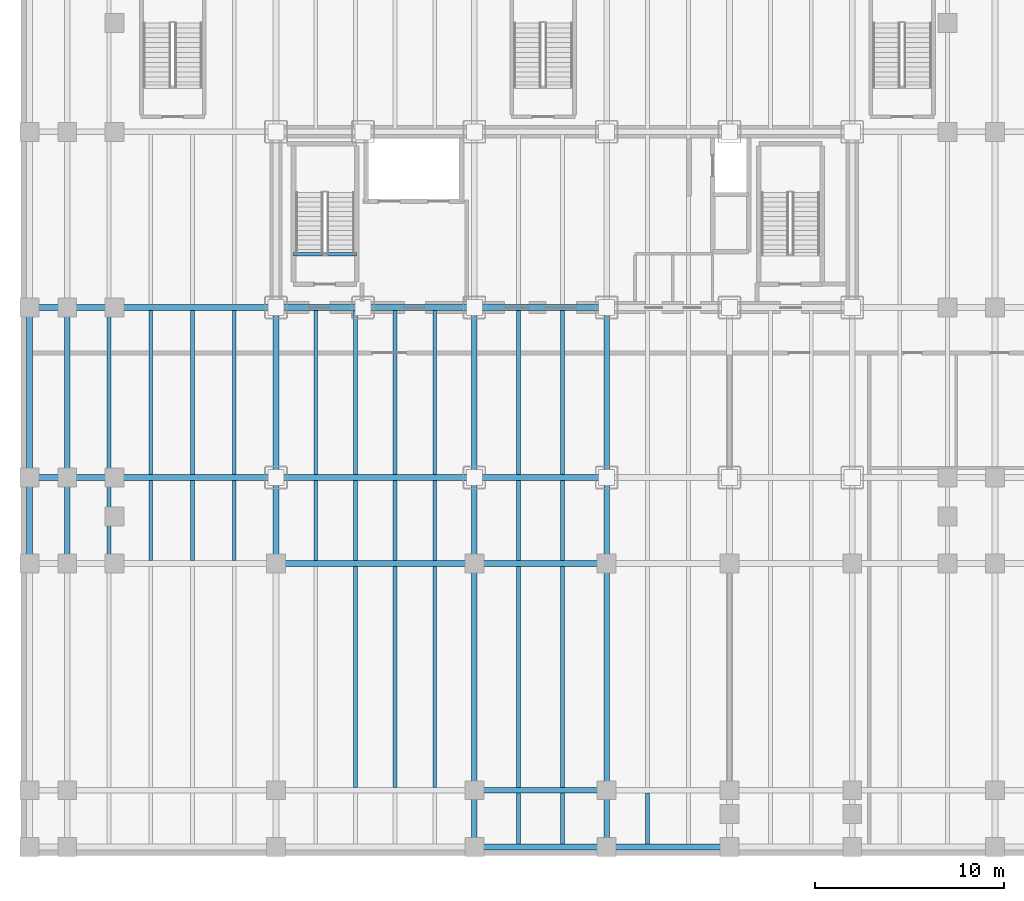
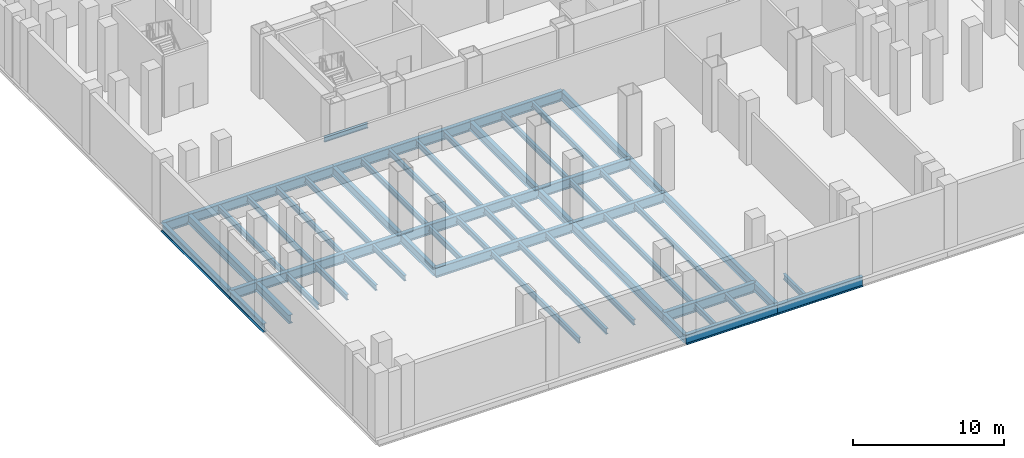
# One storey, part 2 of 15: 56 beams.
"""IFC4 building model written with IfcOpenShell, lengths in metres."""

from ifc_helpers import new_model, si_unit, direction, frame, origin, origin_2d, place, context, subcontext, project, spatial, i_section, extrude, material, material_profile, profile_set, type_object, element, save


model = new_model("IFC4")

# Units and contexts
model_context = context("Model", 3, precision=1e-05, world=origin(), true_north=direction((0.0, 1.0)))
body_context = subcontext(model_context, "Body", "Model", "MODEL_VIEW")
ifc_project = project(units=[si_unit("LENGTHUNIT", "METRE"), si_unit("AREAUNIT", "SQUARE_METRE"), si_unit("VOLUMEUNIT", "CUBIC_METRE"), si_unit("PLANEANGLEUNIT", "RADIAN"), si_unit("MASSUNIT", "GRAM", prefix="KILO")], contexts=[model_context])

# Site, building, storey
site_placement = place(None, origin())
site = spatial("IfcSite", under=ifc_project, at=site_placement, CompositionType="ELEMENT")
building_placement = place(site_placement, origin())
building = spatial("IfcBuilding", under=site, at=building_placement, Name="Noeulbin Bourse Tower", CompositionType="ELEMENT")
storey_placement = place(building_placement, frame((0.0, 0.0, -10.199951171875)))
storey = spatial("IfcBuildingStorey", under=building, at=storey_placement, Name="B02", CompositionType="ELEMENT", Elevation=-10.199951171875)

# Beams
ifc_material = material(Name="Steel S355", Category="steel")
ifc_material_profile_1 = material_profile(ifc_material, i_section(OverallWidth=0.300048828125, OverallDepth=0.699951171875, WebThickness=0.012939453125, FlangeThickness=0.02392578125, FilletRadius=0.02392578125, at=origin_2d()), Name="H-700x300x13x24", Category="LoadBearing")
ifc_profile_set_1 = profile_set([ifc_material_profile_1], Name="Steel S355")
beam_type_1 = type_object("IfcBeamType", Name="BM-GRD-700", PredefinedType="USERDEFINED", material=ifc_profile_set_1)
beam_1_placement = place(storey_placement, frame((0.449951171875, 15.449951171875, -0.630126953125), z_axis=(0.0, 1.0, 0.0), x_axis=(-1.0, 0.0, 0.0)))
element("IfcBeam", 1, at=beam_1_placement, inside=storey, type_object=beam_type_1, Name="Podium Primary Girder NS B02-075", ObjectType="GIRDER", PredefinedType="USERDEFINED", context=body_context, shape_type="SweptSolid", body=[
    extrude(i_section(OverallWidth=0.300048828125, OverallDepth=0.699951171875, WebThickness=0.012939453125, FlangeThickness=0.02392578125, FilletRadius=0.02392578125, at=origin_2d()), origin(), (0.0, 0.0, 1.0), 4.550048828125),
])
beam_2_placement = place(storey_placement, frame((0.449951171875, 20.0, -0.630126953125), z_axis=(0.0, 1.0, 0.0), x_axis=(-1.0, 0.0, 0.0)))
element("IfcBeam", 2, at=beam_2_placement, inside=storey, type_object=beam_type_1, Name="Podium Primary Girder NS B02-076", ObjectType="GIRDER", PredefinedType="USERDEFINED", context=body_context, shape_type="SweptSolid", body=[
    extrude(i_section(OverallWidth=0.300048828125, OverallDepth=0.699951171875, WebThickness=0.012939453125, FlangeThickness=0.02392578125, FilletRadius=0.02392578125, at=origin_2d()), origin(), (0.0, 0.0, 1.0), 9.0),
])
beam_3_placement = place(storey_placement, frame((2.449951171875, 15.449951171875, -0.630126953125), z_axis=(0.0, 1.0, 0.0), x_axis=(-1.0, 0.0, 0.0)))
element("IfcBeam", 3, at=beam_3_placement, inside=storey, type_object=beam_type_1, Name="Podium Primary Girder NS B02-083", ObjectType="GIRDER", PredefinedType="USERDEFINED", context=body_context, shape_type="SweptSolid", body=[
    extrude(i_section(OverallWidth=0.300048828125, OverallDepth=0.699951171875, WebThickness=0.012939453125, FlangeThickness=0.02392578125, FilletRadius=0.02392578125, at=origin_2d()), origin(), (0.0, 0.0, 1.0), 4.550048828125),
])
beam_4_placement = place(storey_placement, frame((2.449951171875, 20.0, -0.630126953125), z_axis=(0.0, 1.0, 0.0), x_axis=(-1.0, 0.0, 0.0)))
element("IfcBeam", 4, at=beam_4_placement, inside=storey, type_object=beam_type_1, Name="Podium Primary Girder NS B02-084", ObjectType="GIRDER", PredefinedType="USERDEFINED", context=body_context, shape_type="SweptSolid", body=[
    extrude(i_section(OverallWidth=0.300048828125, OverallDepth=0.699951171875, WebThickness=0.012939453125, FlangeThickness=0.02392578125, FilletRadius=0.02392578125, at=origin_2d()), origin(), (0.0, 0.0, 1.0), 9.0),
])
beam_5_placement = place(storey_placement, frame((13.5, 15.449951171875, -0.630126953125), z_axis=(0.0, 1.0, 0.0), x_axis=(-1.0, 0.0, 0.0)))
element("IfcBeam", 5, at=beam_5_placement, inside=storey, type_object=beam_type_1, Name="Podium Primary Girder NS B02-091", ObjectType="GIRDER", PredefinedType="USERDEFINED", context=body_context, shape_type="SweptSolid", body=[
    extrude(i_section(OverallWidth=0.300048828125, OverallDepth=0.699951171875, WebThickness=0.012939453125, FlangeThickness=0.02392578125, FilletRadius=0.02392578125, at=origin_2d()), origin(), (0.0, 0.0, 1.0), 4.550048828125),
])
beam_6_placement = place(storey_placement, frame((13.5, 20.0, -0.630126953125), z_axis=(0.0, 1.0, 0.0), x_axis=(-1.0, 0.0, 0.0)))
element("IfcBeam", 6, at=beam_6_placement, inside=storey, type_object=beam_type_1, Name="Podium Primary Girder NS B02-092", ObjectType="GIRDER", PredefinedType="USERDEFINED", context=body_context, shape_type="SweptSolid", body=[
    extrude(i_section(OverallWidth=0.300048828125, OverallDepth=0.699951171875, WebThickness=0.012939453125, FlangeThickness=0.02392578125, FilletRadius=0.02392578125, at=origin_2d()), origin(), (0.0, 0.0, 1.0), 9.0),
])
beam_7_placement = place(storey_placement, frame((24.0, 0.449951171875, -0.630126953125), z_axis=(0.0, 1.0, 0.0), x_axis=(-1.0, 0.0, 0.0)))
element("IfcBeam", 7, at=beam_7_placement, inside=storey, type_object=beam_type_1, Name="Podium Primary Girder NS B02-097", ObjectType="GIRDER", PredefinedType="USERDEFINED", context=body_context, shape_type="SweptSolid", body=[
    extrude(i_section(OverallWidth=0.300048828125, OverallDepth=0.699951171875, WebThickness=0.012939453125, FlangeThickness=0.02392578125, FilletRadius=0.02392578125, at=origin_2d()), origin(), (0.0, 0.0, 1.0), 3.0),
])
beam_8_placement = place(storey_placement, frame((24.0, 3.449951171875, -0.630126953125), z_axis=(0.0, 1.0, 0.0), x_axis=(-1.0, 0.0, 0.0)))
element("IfcBeam", 8, at=beam_8_placement, inside=storey, type_object=beam_type_1, Name="Podium Primary Girder NS B02-098", ObjectType="GIRDER", PredefinedType="USERDEFINED", context=body_context, shape_type="SweptSolid", body=[
    extrude(i_section(OverallWidth=0.300048828125, OverallDepth=0.699951171875, WebThickness=0.012939453125, FlangeThickness=0.02392578125, FilletRadius=0.02392578125, at=origin_2d()), origin(), (0.0, 0.0, 1.0), 12.0),
])
beam_9_placement = place(storey_placement, frame((24.0, 15.449951171875, -0.630126953125), z_axis=(0.0, 1.0, 0.0), x_axis=(-1.0, 0.0, 0.0)))
element("IfcBeam", 9, at=beam_9_placement, inside=storey, type_object=beam_type_1, Name="Podium Primary Girder NS B02-099", ObjectType="GIRDER", PredefinedType="USERDEFINED", context=body_context, shape_type="SweptSolid", body=[
    extrude(i_section(OverallWidth=0.300048828125, OverallDepth=0.699951171875, WebThickness=0.012939453125, FlangeThickness=0.02392578125, FilletRadius=0.02392578125, at=origin_2d()), origin(), (0.0, 0.0, 1.0), 4.550048828125),
])
beam_10_placement = place(storey_placement, frame((24.0, 20.0, -0.630126953125), z_axis=(0.0, 1.0, 0.0), x_axis=(-1.0, 0.0, 0.0)))
element("IfcBeam", 10, at=beam_10_placement, inside=storey, type_object=beam_type_1, Name="Podium Primary Girder NS B02-100", ObjectType="GIRDER", PredefinedType="USERDEFINED", context=body_context, shape_type="SweptSolid", body=[
    extrude(i_section(OverallWidth=0.300048828125, OverallDepth=0.699951171875, WebThickness=0.012939453125, FlangeThickness=0.02392578125, FilletRadius=0.02392578125, at=origin_2d()), origin(), (0.0, 0.0, 1.0), 9.0),
])
beam_11_placement = place(storey_placement, frame((31.0, 0.449951171875, -0.630126953125), z_axis=(0.0, 1.0, 0.0), x_axis=(-1.0, 0.0, 0.0)))
element("IfcBeam", 11, at=beam_11_placement, inside=storey, type_object=beam_type_1, Name="Podium Primary Girder NS B02-105", ObjectType="GIRDER", PredefinedType="USERDEFINED", context=body_context, shape_type="SweptSolid", body=[
    extrude(i_section(OverallWidth=0.300048828125, OverallDepth=0.699951171875, WebThickness=0.012939453125, FlangeThickness=0.02392578125, FilletRadius=0.02392578125, at=origin_2d()), origin(), (0.0, 0.0, 1.0), 3.0),
])
beam_12_placement = place(storey_placement, frame((31.0, 3.449951171875, -0.630126953125), z_axis=(0.0, 1.0, 0.0), x_axis=(-1.0, 0.0, 0.0)))
element("IfcBeam", 12, at=beam_12_placement, inside=storey, type_object=beam_type_1, Name="Podium Primary Girder NS B02-106", ObjectType="GIRDER", PredefinedType="USERDEFINED", context=body_context, shape_type="SweptSolid", body=[
    extrude(i_section(OverallWidth=0.300048828125, OverallDepth=0.699951171875, WebThickness=0.012939453125, FlangeThickness=0.02392578125, FilletRadius=0.02392578125, at=origin_2d()), origin(), (0.0, 0.0, 1.0), 12.0),
])
beam_13_placement = place(storey_placement, frame((31.0, 15.449951171875, -0.630126953125), z_axis=(0.0, 1.0, 0.0), x_axis=(-1.0, 0.0, 0.0)))
element("IfcBeam", 13, at=beam_13_placement, inside=storey, type_object=beam_type_1, Name="Podium Primary Girder NS B02-107", ObjectType="GIRDER", PredefinedType="USERDEFINED", context=body_context, shape_type="SweptSolid", body=[
    extrude(i_section(OverallWidth=0.300048828125, OverallDepth=0.699951171875, WebThickness=0.012939453125, FlangeThickness=0.02392578125, FilletRadius=0.02392578125, at=origin_2d()), origin(), (0.0, 0.0, 1.0), 4.550048828125),
])
beam_14_placement = place(storey_placement, frame((31.0, 20.0, -0.630126953125), z_axis=(0.0, 1.0, 0.0), x_axis=(-1.0, 0.0, 0.0)))
element("IfcBeam", 14, at=beam_14_placement, inside=storey, type_object=beam_type_1, Name="Podium Primary Girder NS B02-108", ObjectType="GIRDER", PredefinedType="USERDEFINED", context=body_context, shape_type="SweptSolid", body=[
    extrude(i_section(OverallWidth=0.300048828125, OverallDepth=0.699951171875, WebThickness=0.012939453125, FlangeThickness=0.02392578125, FilletRadius=0.02392578125, at=origin_2d()), origin(), (0.0, 0.0, 1.0), 9.0),
])
ifc_material_profile_2 = material_profile(ifc_material, i_section(OverallWidth=0.300048828125, OverallDepth=0.800048828125, WebThickness=0.013916015625, FlangeThickness=0.02587890625, FilletRadius=0.02587890625, at=origin_2d()), Name="H-800x300x14x26", Category="LoadBearing")
ifc_profile_set_2 = profile_set([ifc_material_profile_2], Name="Steel S355")
beam_type_2 = type_object("IfcBeamType", Name="BM-GRD-800", PredefinedType="USERDEFINED", material=ifc_profile_set_2)
beam_15_placement = place(storey_placement, frame((24.0, 0.449951171875, -0.679931640625), z_axis=(1.0, 0.0, 0.0), x_axis=(0.0, 1.0, 0.0)))
element("IfcBeam", 15, at=beam_15_placement, inside=storey, type_object=beam_type_2, Name="Podium Primary Girder EW B02-004", ObjectType="GIRDER", PredefinedType="USERDEFINED", context=body_context, shape_type="SweptSolid", body=[
    extrude(i_section(OverallWidth=0.300048828125, OverallDepth=0.800048828125, WebThickness=0.013916015625, FlangeThickness=0.02587890625, FilletRadius=0.02587890625, at=origin_2d()), origin(), (0.0, 0.0, 1.0), 7.0),
])
beam_16_placement = place(storey_placement, frame((31.0, 0.449951171875, -0.679931640625), z_axis=(1.0, 0.0, 0.0), x_axis=(0.0, 1.0, 0.0)))
element("IfcBeam", 16, at=beam_16_placement, inside=storey, type_object=beam_type_2, Name="Podium Primary Girder EW B02-005", ObjectType="GIRDER", PredefinedType="USERDEFINED", context=body_context, shape_type="SweptSolid", body=[
    extrude(i_section(OverallWidth=0.300048828125, OverallDepth=0.800048828125, WebThickness=0.013916015625, FlangeThickness=0.02587890625, FilletRadius=0.02587890625, at=origin_2d()), origin(), (0.0, 0.0, 1.0), 6.5),
])
beam_17_placement = place(storey_placement, frame((24.0, 3.449951171875, -0.679931640625), z_axis=(1.0, 0.0, 0.0), x_axis=(0.0, 1.0, 0.0)))
element("IfcBeam", 17, at=beam_17_placement, inside=storey, type_object=beam_type_2, Name="Podium Primary Girder EW B02-012", ObjectType="GIRDER", PredefinedType="USERDEFINED", context=body_context, shape_type="SweptSolid", body=[
    extrude(i_section(OverallWidth=0.300048828125, OverallDepth=0.800048828125, WebThickness=0.013916015625, FlangeThickness=0.02587890625, FilletRadius=0.02587890625, at=origin_2d()), origin(), (0.0, 0.0, 1.0), 7.0),
])
beam_18_placement = place(storey_placement, frame((13.5, 15.449951171875, -0.679931640625), z_axis=(1.0, 0.0, 0.0), x_axis=(0.0, 1.0, 0.0)))
element("IfcBeam", 18, at=beam_18_placement, inside=storey, type_object=beam_type_2, Name="Podium Primary Girder EW B02-019", ObjectType="GIRDER", PredefinedType="USERDEFINED", context=body_context, shape_type="SweptSolid", body=[
    extrude(i_section(OverallWidth=0.300048828125, OverallDepth=0.800048828125, WebThickness=0.013916015625, FlangeThickness=0.02587890625, FilletRadius=0.02587890625, at=origin_2d()), origin(), (0.0, 0.0, 1.0), 10.5),
])
beam_19_placement = place(storey_placement, frame((24.0, 15.449951171875, -0.679931640625), z_axis=(1.0, 0.0, 0.0), x_axis=(0.0, 1.0, 0.0)))
element("IfcBeam", 19, at=beam_19_placement, inside=storey, type_object=beam_type_2, Name="Podium Primary Girder EW B02-020", ObjectType="GIRDER", PredefinedType="USERDEFINED", context=body_context, shape_type="SweptSolid", body=[
    extrude(i_section(OverallWidth=0.300048828125, OverallDepth=0.800048828125, WebThickness=0.013916015625, FlangeThickness=0.02587890625, FilletRadius=0.02587890625, at=origin_2d()), origin(), (0.0, 0.0, 1.0), 7.0),
])
beam_20_placement = place(storey_placement, frame((0.449951171875, 20.0, -0.679931640625), z_axis=(1.0, 0.0, 0.0), x_axis=(0.0, 1.0, 0.0)))
element("IfcBeam", 20, at=beam_20_placement, inside=storey, type_object=beam_type_2, Name="Podium Primary Girder EW B02-025", ObjectType="GIRDER", PredefinedType="USERDEFINED", context=body_context, shape_type="SweptSolid", body=[
    extrude(i_section(OverallWidth=0.300048828125, OverallDepth=0.800048828125, WebThickness=0.013916015625, FlangeThickness=0.02587890625, FilletRadius=0.02587890625, at=origin_2d()), origin(), (0.0, 0.0, 1.0), 2.0),
])
beam_21_placement = place(storey_placement, frame((2.449951171875, 20.0, -0.679931640625), z_axis=(1.0, 0.0, 0.0), x_axis=(0.0, 1.0, 0.0)))
element("IfcBeam", 21, at=beam_21_placement, inside=storey, type_object=beam_type_2, Name="Podium Primary Girder EW B02-026", ObjectType="GIRDER", PredefinedType="USERDEFINED", context=body_context, shape_type="SweptSolid", body=[
    extrude(i_section(OverallWidth=0.300048828125, OverallDepth=0.800048828125, WebThickness=0.013916015625, FlangeThickness=0.02587890625, FilletRadius=0.02587890625, at=origin_2d()), origin(), (0.0, 0.0, 1.0), 11.050048828125),
])
beam_22_placement = place(storey_placement, frame((13.5, 20.0, -0.679931640625), z_axis=(1.0, 0.0, 0.0), x_axis=(0.0, 1.0, 0.0)))
element("IfcBeam", 22, at=beam_22_placement, inside=storey, type_object=beam_type_2, Name="Podium Primary Girder EW B02-027", ObjectType="GIRDER", PredefinedType="USERDEFINED", context=body_context, shape_type="SweptSolid", body=[
    extrude(i_section(OverallWidth=0.300048828125, OverallDepth=0.800048828125, WebThickness=0.013916015625, FlangeThickness=0.02587890625, FilletRadius=0.02587890625, at=origin_2d()), origin(), (0.0, 0.0, 1.0), 10.5),
])
beam_23_placement = place(storey_placement, frame((24.0, 20.0, -0.679931640625), z_axis=(1.0, 0.0, 0.0), x_axis=(0.0, 1.0, 0.0)))
element("IfcBeam", 23, at=beam_23_placement, inside=storey, type_object=beam_type_2, Name="Podium Primary Girder EW B02-028", ObjectType="GIRDER", PredefinedType="USERDEFINED", context=body_context, shape_type="SweptSolid", body=[
    extrude(i_section(OverallWidth=0.300048828125, OverallDepth=0.800048828125, WebThickness=0.013916015625, FlangeThickness=0.02587890625, FilletRadius=0.02587890625, at=origin_2d()), origin(), (0.0, 0.0, 1.0), 7.0),
])
beam_24_placement = place(storey_placement, frame((0.449951171875, 29.0, -0.679931640625), z_axis=(1.0, 0.0, 0.0), x_axis=(0.0, 1.0, 0.0)))
element("IfcBeam", 24, at=beam_24_placement, inside=storey, type_object=beam_type_2, Name="Podium Primary Girder EW B02-033", ObjectType="GIRDER", PredefinedType="USERDEFINED", context=body_context, shape_type="SweptSolid", body=[
    extrude(i_section(OverallWidth=0.300048828125, OverallDepth=0.800048828125, WebThickness=0.013916015625, FlangeThickness=0.02587890625, FilletRadius=0.02587890625, at=origin_2d()), origin(), (0.0, 0.0, 1.0), 2.0),
])
beam_25_placement = place(storey_placement, frame((2.449951171875, 29.0, -0.679931640625), z_axis=(1.0, 0.0, 0.0), x_axis=(0.0, 1.0, 0.0)))
element("IfcBeam", 25, at=beam_25_placement, inside=storey, type_object=beam_type_2, Name="Podium Primary Girder EW B02-034", ObjectType="GIRDER", PredefinedType="USERDEFINED", context=body_context, shape_type="SweptSolid", body=[
    extrude(i_section(OverallWidth=0.300048828125, OverallDepth=0.800048828125, WebThickness=0.013916015625, FlangeThickness=0.02587890625, FilletRadius=0.02587890625, at=origin_2d()), origin(), (0.0, 0.0, 1.0), 11.050048828125),
])
beam_26_placement = place(storey_placement, frame((13.5, 29.0, -0.679931640625), z_axis=(1.0, 0.0, 0.0), x_axis=(0.0, 1.0, 0.0)))
element("IfcBeam", 26, at=beam_26_placement, inside=storey, type_object=beam_type_2, Name="Podium Primary Girder EW B02-035", ObjectType="GIRDER", PredefinedType="USERDEFINED", context=body_context, shape_type="SweptSolid", body=[
    extrude(i_section(OverallWidth=0.300048828125, OverallDepth=0.800048828125, WebThickness=0.013916015625, FlangeThickness=0.02587890625, FilletRadius=0.02587890625, at=origin_2d()), origin(), (0.0, 0.0, 1.0), 10.5),
])
beam_27_placement = place(storey_placement, frame((24.0, 29.0, -0.679931640625), z_axis=(1.0, 0.0, 0.0), x_axis=(0.0, 1.0, 0.0)))
element("IfcBeam", 27, at=beam_27_placement, inside=storey, type_object=beam_type_2, Name="Podium Primary Girder EW B02-036", ObjectType="GIRDER", PredefinedType="USERDEFINED", context=body_context, shape_type="SweptSolid", body=[
    extrude(i_section(OverallWidth=0.300048828125, OverallDepth=0.800048828125, WebThickness=0.013916015625, FlangeThickness=0.02587890625, FilletRadius=0.02587890625, at=origin_2d()), origin(), (0.0, 0.0, 1.0), 7.0),
])
ifc_material_profile_3 = material_profile(ifc_material, i_section(OverallWidth=0.199951171875, OverallDepth=0.39990234375, WebThickness=0.008056640625, FlangeThickness=0.012939453125, FilletRadius=0.01611328125, at=origin_2d()), Name="H-400x200x8x13", Category="LoadBearing")
ifc_profile_set_3 = profile_set([ifc_material_profile_3], Name="Steel S355")
beam_type_3 = type_object("IfcBeamType", Name="BM-SEC-400", PredefinedType="BEAM", material=ifc_profile_set_3)
beam_28_placement = place(storey_placement, frame((14.429931640625, 31.820068359375, -0.199951171875), z_axis=(1.0, 0.0, 0.0), x_axis=(0.0, 1.0, 0.0)))
element("IfcBeam", 28, at=beam_28_placement, inside=storey, type_object=beam_type_3, Name="Stair Threshold Trimmer Beam ST1-B02", PredefinedType="BEAM", context=body_context, shape_type="SweptSolid", body=[
    extrude(i_section(OverallWidth=0.199951171875, OverallDepth=0.39990234375, WebThickness=0.008056640625, FlangeThickness=0.012939453125, FilletRadius=0.01611328125, at=origin_2d()), origin(), (0.0, 0.0, 1.0), 3.340087890625),
])
ifc_material_profile_4 = material_profile(ifc_material, i_section(OverallWidth=0.199951171875, OverallDepth=0.449951171875, WebThickness=0.009033203125, FlangeThickness=0.013916015625, FilletRadius=0.01806640625, at=origin_2d()), Name="H-450x200x9x14", Category="LoadBearing")
ifc_profile_set_4 = profile_set([ifc_material_profile_4], Name="Steel S355")
beam_type_4 = type_object("IfcBeamType", Name="BM-SEC-450", PredefinedType="BEAM", material=ifc_profile_set_4)
beam_29_placement = place(storey_placement, frame((4.659912109375, 15.60009765625, -0.505126953125), z_axis=(0.0, 1.0, 0.0), x_axis=(-1.0, 0.0, 0.0)))
element("IfcBeam", 29, at=beam_29_placement, inside=storey, type_object=beam_type_4, Name="Podium Secondary Beam B02-003", PredefinedType="BEAM", context=body_context, shape_type="SweptSolid", body=[
    extrude(i_section(OverallWidth=0.199951171875, OverallDepth=0.449951171875, WebThickness=0.009033203125, FlangeThickness=0.013916015625, FilletRadius=0.01806640625, at=origin_2d()), origin(), (0.0, 0.0, 1.0), 4.25),
])
beam_30_placement = place(storey_placement, frame((4.659912109375, 20.14990234375, -0.505126953125), z_axis=(0.0, 1.0, 0.0), x_axis=(-1.0, 0.0, 0.0)))
element("IfcBeam", 30, at=beam_30_placement, inside=storey, type_object=beam_type_4, Name="Podium Secondary Beam B02-004", PredefinedType="BEAM", context=body_context, shape_type="SweptSolid", body=[
    extrude(i_section(OverallWidth=0.199951171875, OverallDepth=0.449951171875, WebThickness=0.009033203125, FlangeThickness=0.013916015625, FilletRadius=0.01806640625, at=origin_2d()), origin(), (0.0, 0.0, 1.0), 8.7001953125),
])
beam_31_placement = place(storey_placement, frame((6.8701171875, 15.60009765625, -0.505126953125), z_axis=(0.0, 1.0, 0.0), x_axis=(-1.0, 0.0, 0.0)))
element("IfcBeam", 31, at=beam_31_placement, inside=storey, type_object=beam_type_4, Name="Podium Secondary Beam B02-011", PredefinedType="BEAM", context=body_context, shape_type="SweptSolid", body=[
    extrude(i_section(OverallWidth=0.199951171875, OverallDepth=0.449951171875, WebThickness=0.009033203125, FlangeThickness=0.013916015625, FilletRadius=0.01806640625, at=origin_2d()), origin(), (0.0, 0.0, 1.0), 4.25),
])
beam_32_placement = place(storey_placement, frame((6.8701171875, 20.14990234375, -0.505126953125), z_axis=(0.0, 1.0, 0.0), x_axis=(-1.0, 0.0, 0.0)))
element("IfcBeam", 32, at=beam_32_placement, inside=storey, type_object=beam_type_4, Name="Podium Secondary Beam B02-012", PredefinedType="BEAM", context=body_context, shape_type="SweptSolid", body=[
    extrude(i_section(OverallWidth=0.199951171875, OverallDepth=0.449951171875, WebThickness=0.009033203125, FlangeThickness=0.013916015625, FilletRadius=0.01806640625, at=origin_2d()), origin(), (0.0, 0.0, 1.0), 8.7001953125),
])
beam_33_placement = place(storey_placement, frame((9.080078125, 15.60009765625, -0.505126953125), z_axis=(0.0, 1.0, 0.0), x_axis=(-1.0, 0.0, 0.0)))
element("IfcBeam", 33, at=beam_33_placement, inside=storey, type_object=beam_type_4, Name="Podium Secondary Beam B02-018", PredefinedType="BEAM", context=body_context, shape_type="SweptSolid", body=[
    extrude(i_section(OverallWidth=0.199951171875, OverallDepth=0.449951171875, WebThickness=0.009033203125, FlangeThickness=0.013916015625, FilletRadius=0.01806640625, at=origin_2d()), origin(), (0.0, 0.0, 1.0), 4.25),
])
beam_34_placement = place(storey_placement, frame((9.080078125, 20.14990234375, -0.505126953125), z_axis=(0.0, 1.0, 0.0), x_axis=(-1.0, 0.0, 0.0)))
element("IfcBeam", 34, at=beam_34_placement, inside=storey, type_object=beam_type_4, Name="Podium Secondary Beam B02-019", PredefinedType="BEAM", context=body_context, shape_type="SweptSolid", body=[
    extrude(i_section(OverallWidth=0.199951171875, OverallDepth=0.449951171875, WebThickness=0.009033203125, FlangeThickness=0.013916015625, FilletRadius=0.01806640625, at=origin_2d()), origin(), (0.0, 0.0, 1.0), 8.7001953125),
])
beam_35_placement = place(storey_placement, frame((11.2900390625, 15.60009765625, -0.505126953125), z_axis=(0.0, 1.0, 0.0), x_axis=(-1.0, 0.0, 0.0)))
element("IfcBeam", 35, at=beam_35_placement, inside=storey, type_object=beam_type_4, Name="Podium Secondary Beam B02-025", PredefinedType="BEAM", context=body_context, shape_type="SweptSolid", body=[
    extrude(i_section(OverallWidth=0.199951171875, OverallDepth=0.449951171875, WebThickness=0.009033203125, FlangeThickness=0.013916015625, FilletRadius=0.01806640625, at=origin_2d()), origin(), (0.0, 0.0, 1.0), 4.25),
])
beam_36_placement = place(storey_placement, frame((11.2900390625, 20.14990234375, -0.505126953125), z_axis=(0.0, 1.0, 0.0), x_axis=(-1.0, 0.0, 0.0)))
element("IfcBeam", 36, at=beam_36_placement, inside=storey, type_object=beam_type_4, Name="Podium Secondary Beam B02-026", PredefinedType="BEAM", context=body_context, shape_type="SweptSolid", body=[
    extrude(i_section(OverallWidth=0.199951171875, OverallDepth=0.449951171875, WebThickness=0.009033203125, FlangeThickness=0.013916015625, FilletRadius=0.01806640625, at=origin_2d()), origin(), (0.0, 0.0, 1.0), 8.7001953125),
])
beam_37_placement = place(storey_placement, frame((15.60009765625, 15.60009765625, -0.505126953125), z_axis=(0.0, 1.0, 0.0), x_axis=(-1.0, 0.0, 0.0)))
element("IfcBeam", 37, at=beam_37_placement, inside=storey, type_object=beam_type_4, Name="Podium Secondary Beam B02-033", PredefinedType="BEAM", context=body_context, shape_type="SweptSolid", body=[
    extrude(i_section(OverallWidth=0.199951171875, OverallDepth=0.449951171875, WebThickness=0.009033203125, FlangeThickness=0.013916015625, FilletRadius=0.01806640625, at=origin_2d()), origin(), (0.0, 0.0, 1.0), 4.25),
])
beam_38_placement = place(storey_placement, frame((15.60009765625, 20.14990234375, -0.505126953125), z_axis=(0.0, 1.0, 0.0), x_axis=(-1.0, 0.0, 0.0)))
element("IfcBeam", 38, at=beam_38_placement, inside=storey, type_object=beam_type_4, Name="Podium Secondary Beam B02-034", PredefinedType="BEAM", context=body_context, shape_type="SweptSolid", body=[
    extrude(i_section(OverallWidth=0.199951171875, OverallDepth=0.449951171875, WebThickness=0.009033203125, FlangeThickness=0.013916015625, FilletRadius=0.01806640625, at=origin_2d()), origin(), (0.0, 0.0, 1.0), 8.7001953125),
])
beam_39_placement = place(storey_placement, frame((17.699951171875, 3.60009765625, -0.505126953125), z_axis=(0.0, 1.0, 0.0), x_axis=(-1.0, 0.0, 0.0)))
element("IfcBeam", 39, at=beam_39_placement, inside=storey, type_object=beam_type_4, Name="Podium Secondary Beam B02-039", PredefinedType="BEAM", context=body_context, shape_type="SweptSolid", body=[
    extrude(i_section(OverallWidth=0.199951171875, OverallDepth=0.449951171875, WebThickness=0.009033203125, FlangeThickness=0.013916015625, FilletRadius=0.01806640625, at=origin_2d()), origin(), (0.0, 0.0, 1.0), 11.699951171875),
])
beam_40_placement = place(storey_placement, frame((17.699951171875, 15.60009765625, -0.505126953125), z_axis=(0.0, 1.0, 0.0), x_axis=(-1.0, 0.0, 0.0)))
element("IfcBeam", 40, at=beam_40_placement, inside=storey, type_object=beam_type_4, Name="Podium Secondary Beam B02-040", PredefinedType="BEAM", context=body_context, shape_type="SweptSolid", body=[
    extrude(i_section(OverallWidth=0.199951171875, OverallDepth=0.449951171875, WebThickness=0.009033203125, FlangeThickness=0.013916015625, FilletRadius=0.01806640625, at=origin_2d()), origin(), (0.0, 0.0, 1.0), 4.25),
])
beam_41_placement = place(storey_placement, frame((17.699951171875, 20.14990234375, -0.505126953125), z_axis=(0.0, 1.0, 0.0), x_axis=(-1.0, 0.0, 0.0)))
element("IfcBeam", 41, at=beam_41_placement, inside=storey, type_object=beam_type_4, Name="Podium Secondary Beam B02-041", PredefinedType="BEAM", context=body_context, shape_type="SweptSolid", body=[
    extrude(i_section(OverallWidth=0.199951171875, OverallDepth=0.449951171875, WebThickness=0.009033203125, FlangeThickness=0.013916015625, FilletRadius=0.01806640625, at=origin_2d()), origin(), (0.0, 0.0, 1.0), 8.7001953125),
])
beam_42_placement = place(storey_placement, frame((19.800048828125, 3.60009765625, -0.505126953125), z_axis=(0.0, 1.0, 0.0), x_axis=(-1.0, 0.0, 0.0)))
element("IfcBeam", 42, at=beam_42_placement, inside=storey, type_object=beam_type_4, Name="Podium Secondary Beam B02-046", PredefinedType="BEAM", context=body_context, shape_type="SweptSolid", body=[
    extrude(i_section(OverallWidth=0.199951171875, OverallDepth=0.449951171875, WebThickness=0.009033203125, FlangeThickness=0.013916015625, FilletRadius=0.01806640625, at=origin_2d()), origin(), (0.0, 0.0, 1.0), 11.699951171875),
])
beam_43_placement = place(storey_placement, frame((19.800048828125, 15.60009765625, -0.505126953125), z_axis=(0.0, 1.0, 0.0), x_axis=(-1.0, 0.0, 0.0)))
element("IfcBeam", 43, at=beam_43_placement, inside=storey, type_object=beam_type_4, Name="Podium Secondary Beam B02-047", PredefinedType="BEAM", context=body_context, shape_type="SweptSolid", body=[
    extrude(i_section(OverallWidth=0.199951171875, OverallDepth=0.449951171875, WebThickness=0.009033203125, FlangeThickness=0.013916015625, FilletRadius=0.01806640625, at=origin_2d()), origin(), (0.0, 0.0, 1.0), 4.25),
])
beam_44_placement = place(storey_placement, frame((19.800048828125, 20.14990234375, -0.505126953125), z_axis=(0.0, 1.0, 0.0), x_axis=(-1.0, 0.0, 0.0)))
element("IfcBeam", 44, at=beam_44_placement, inside=storey, type_object=beam_type_4, Name="Podium Secondary Beam B02-048", PredefinedType="BEAM", context=body_context, shape_type="SweptSolid", body=[
    extrude(i_section(OverallWidth=0.199951171875, OverallDepth=0.449951171875, WebThickness=0.009033203125, FlangeThickness=0.013916015625, FilletRadius=0.01806640625, at=origin_2d()), origin(), (0.0, 0.0, 1.0), 8.7001953125),
])
beam_45_placement = place(storey_placement, frame((21.89990234375, 3.60009765625, -0.505126953125), z_axis=(0.0, 1.0, 0.0), x_axis=(-1.0, 0.0, 0.0)))
element("IfcBeam", 45, at=beam_45_placement, inside=storey, type_object=beam_type_4, Name="Podium Secondary Beam B02-053", PredefinedType="BEAM", context=body_context, shape_type="SweptSolid", body=[
    extrude(i_section(OverallWidth=0.199951171875, OverallDepth=0.449951171875, WebThickness=0.009033203125, FlangeThickness=0.013916015625, FilletRadius=0.01806640625, at=origin_2d()), origin(), (0.0, 0.0, 1.0), 11.699951171875),
])
beam_46_placement = place(storey_placement, frame((21.89990234375, 15.60009765625, -0.505126953125), z_axis=(0.0, 1.0, 0.0), x_axis=(-1.0, 0.0, 0.0)))
element("IfcBeam", 46, at=beam_46_placement, inside=storey, type_object=beam_type_4, Name="Podium Secondary Beam B02-054", PredefinedType="BEAM", context=body_context, shape_type="SweptSolid", body=[
    extrude(i_section(OverallWidth=0.199951171875, OverallDepth=0.449951171875, WebThickness=0.009033203125, FlangeThickness=0.013916015625, FilletRadius=0.01806640625, at=origin_2d()), origin(), (0.0, 0.0, 1.0), 4.25),
])
beam_47_placement = place(storey_placement, frame((21.89990234375, 20.14990234375, -0.505126953125), z_axis=(0.0, 1.0, 0.0), x_axis=(-1.0, 0.0, 0.0)))
element("IfcBeam", 47, at=beam_47_placement, inside=storey, type_object=beam_type_4, Name="Podium Secondary Beam B02-055", PredefinedType="BEAM", context=body_context, shape_type="SweptSolid", body=[
    extrude(i_section(OverallWidth=0.199951171875, OverallDepth=0.449951171875, WebThickness=0.009033203125, FlangeThickness=0.013916015625, FilletRadius=0.01806640625, at=origin_2d()), origin(), (0.0, 0.0, 1.0), 8.7001953125),
])
beam_48_placement = place(storey_placement, frame((26.333251953125, 0.60009765625, -0.505126953125), z_axis=(0.0, 1.0, 0.0), x_axis=(-1.0, 0.0, 0.0)))
element("IfcBeam", 48, at=beam_48_placement, inside=storey, type_object=beam_type_4, Name="Podium Secondary Beam B02-059", PredefinedType="BEAM", context=body_context, shape_type="SweptSolid", body=[
    extrude(i_section(OverallWidth=0.199951171875, OverallDepth=0.449951171875, WebThickness=0.009033203125, FlangeThickness=0.013916015625, FilletRadius=0.01806640625, at=origin_2d()), origin(), (0.0, 0.0, 1.0), 2.699951171875),
])
beam_49_placement = place(storey_placement, frame((26.333251953125, 3.60009765625, -0.505126953125), z_axis=(0.0, 1.0, 0.0), x_axis=(-1.0, 0.0, 0.0)))
element("IfcBeam", 49, at=beam_49_placement, inside=storey, type_object=beam_type_4, Name="Podium Secondary Beam B02-060", PredefinedType="BEAM", context=body_context, shape_type="SweptSolid", body=[
    extrude(i_section(OverallWidth=0.199951171875, OverallDepth=0.449951171875, WebThickness=0.009033203125, FlangeThickness=0.013916015625, FilletRadius=0.01806640625, at=origin_2d()), origin(), (0.0, 0.0, 1.0), 11.699951171875),
])
beam_50_placement = place(storey_placement, frame((26.333251953125, 15.60009765625, -0.505126953125), z_axis=(0.0, 1.0, 0.0), x_axis=(-1.0, 0.0, 0.0)))
element("IfcBeam", 50, at=beam_50_placement, inside=storey, type_object=beam_type_4, Name="Podium Secondary Beam B02-061", PredefinedType="BEAM", context=body_context, shape_type="SweptSolid", body=[
    extrude(i_section(OverallWidth=0.199951171875, OverallDepth=0.449951171875, WebThickness=0.009033203125, FlangeThickness=0.013916015625, FilletRadius=0.01806640625, at=origin_2d()), origin(), (0.0, 0.0, 1.0), 4.25),
])
beam_51_placement = place(storey_placement, frame((26.333251953125, 20.14990234375, -0.505126953125), z_axis=(0.0, 1.0, 0.0), x_axis=(-1.0, 0.0, 0.0)))
element("IfcBeam", 51, at=beam_51_placement, inside=storey, type_object=beam_type_4, Name="Podium Secondary Beam B02-062", PredefinedType="BEAM", context=body_context, shape_type="SweptSolid", body=[
    extrude(i_section(OverallWidth=0.199951171875, OverallDepth=0.449951171875, WebThickness=0.009033203125, FlangeThickness=0.013916015625, FilletRadius=0.01806640625, at=origin_2d()), origin(), (0.0, 0.0, 1.0), 8.7001953125),
])
beam_52_placement = place(storey_placement, frame((28.666748046875, 0.60009765625, -0.505126953125), z_axis=(0.0, 1.0, 0.0), x_axis=(-1.0, 0.0, 0.0)))
element("IfcBeam", 52, at=beam_52_placement, inside=storey, type_object=beam_type_4, Name="Podium Secondary Beam B02-066", PredefinedType="BEAM", context=body_context, shape_type="SweptSolid", body=[
    extrude(i_section(OverallWidth=0.199951171875, OverallDepth=0.449951171875, WebThickness=0.009033203125, FlangeThickness=0.013916015625, FilletRadius=0.01806640625, at=origin_2d()), origin(), (0.0, 0.0, 1.0), 2.699951171875),
])
beam_53_placement = place(storey_placement, frame((28.666748046875, 3.60009765625, -0.505126953125), z_axis=(0.0, 1.0, 0.0), x_axis=(-1.0, 0.0, 0.0)))
element("IfcBeam", 53, at=beam_53_placement, inside=storey, type_object=beam_type_4, Name="Podium Secondary Beam B02-067", PredefinedType="BEAM", context=body_context, shape_type="SweptSolid", body=[
    extrude(i_section(OverallWidth=0.199951171875, OverallDepth=0.449951171875, WebThickness=0.009033203125, FlangeThickness=0.013916015625, FilletRadius=0.01806640625, at=origin_2d()), origin(), (0.0, 0.0, 1.0), 11.699951171875),
])
beam_54_placement = place(storey_placement, frame((28.666748046875, 15.60009765625, -0.505126953125), z_axis=(0.0, 1.0, 0.0), x_axis=(-1.0, 0.0, 0.0)))
element("IfcBeam", 54, at=beam_54_placement, inside=storey, type_object=beam_type_4, Name="Podium Secondary Beam B02-068", PredefinedType="BEAM", context=body_context, shape_type="SweptSolid", body=[
    extrude(i_section(OverallWidth=0.199951171875, OverallDepth=0.449951171875, WebThickness=0.009033203125, FlangeThickness=0.013916015625, FilletRadius=0.01806640625, at=origin_2d()), origin(), (0.0, 0.0, 1.0), 4.25),
])
beam_55_placement = place(storey_placement, frame((28.666748046875, 20.14990234375, -0.505126953125), z_axis=(0.0, 1.0, 0.0), x_axis=(-1.0, 0.0, 0.0)))
element("IfcBeam", 55, at=beam_55_placement, inside=storey, type_object=beam_type_4, Name="Podium Secondary Beam B02-069", PredefinedType="BEAM", context=body_context, shape_type="SweptSolid", body=[
    extrude(i_section(OverallWidth=0.199951171875, OverallDepth=0.449951171875, WebThickness=0.009033203125, FlangeThickness=0.013916015625, FilletRadius=0.01806640625, at=origin_2d()), origin(), (0.0, 0.0, 1.0), 8.7001953125),
])
beam_56_placement = place(storey_placement, frame((33.166748046875, 0.60009765625, -0.505126953125), z_axis=(0.0, 1.0, 0.0), x_axis=(-1.0, 0.0, 0.0)))
element("IfcBeam", 56, at=beam_56_placement, inside=storey, type_object=beam_type_4, Name="Podium Secondary Beam B02-073", PredefinedType="BEAM", context=body_context, shape_type="SweptSolid", body=[
    extrude(i_section(OverallWidth=0.199951171875, OverallDepth=0.449951171875, WebThickness=0.009033203125, FlangeThickness=0.013916015625, FilletRadius=0.01806640625, at=origin_2d()), origin(), (0.0, 0.0, 1.0), 2.699951171875),
])

save(model, "model.ifc")
